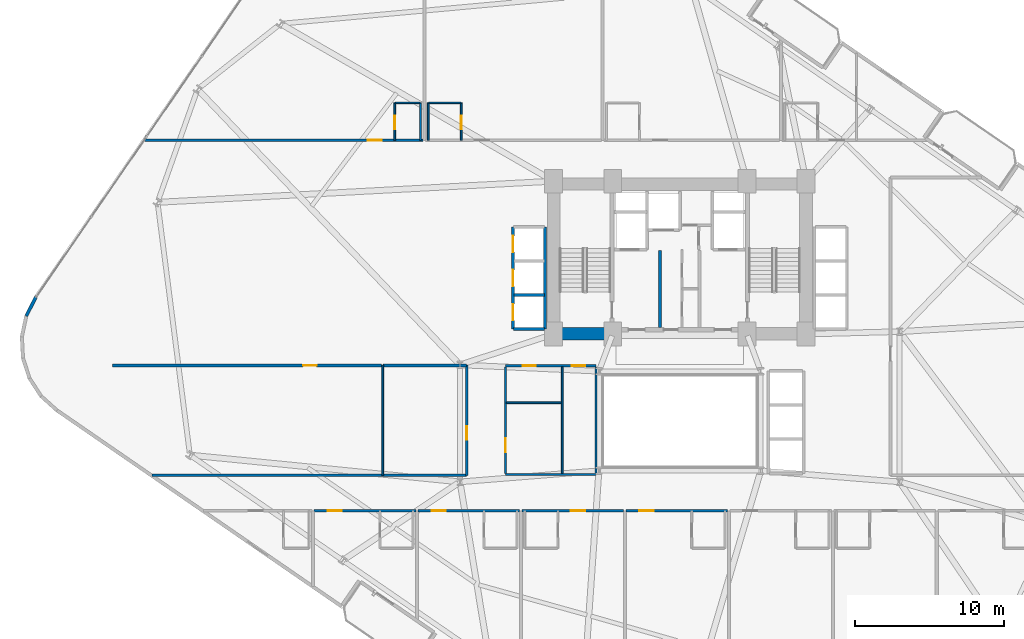
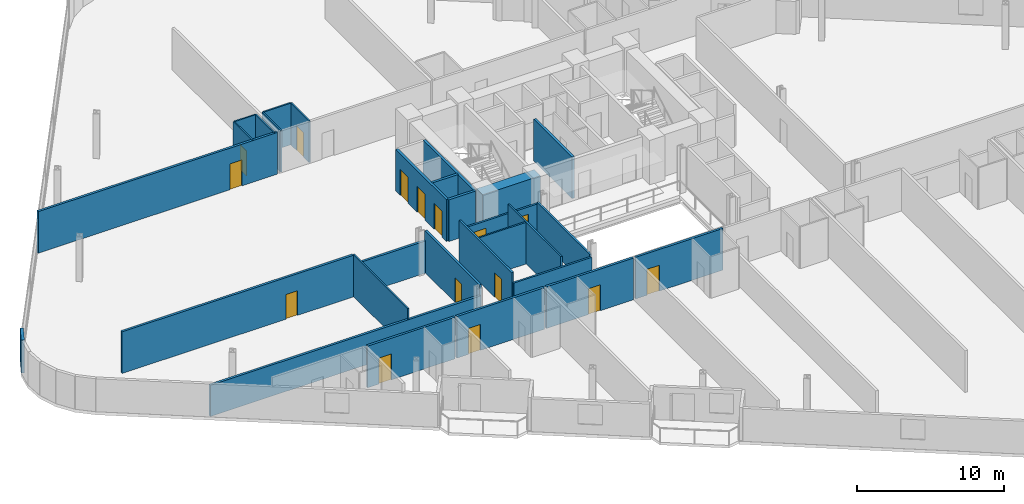
# One storey, part 18 of 25: 29 walls, 15 doors, 15 openings.
"""IFC4 building model written with IfcOpenShell, lengths in metres."""

from ifc_helpers import new_model, si_unit, direction, frame, frame_2d, origin, place, context, subcontext, project, spatial, rectangle, extrude, material, layer, layer_set, type_object, element, fill, save


model = new_model("IFC4")

# Units and contexts
model_context = context("Model", 3, precision=1e-05, world=origin(), true_north=direction((0.0, 1.0)))
body_context = subcontext(model_context, "Body", "Model", "MODEL_VIEW")
ifc_project = project(units=[si_unit("LENGTHUNIT", "METRE"), si_unit("AREAUNIT", "SQUARE_METRE"), si_unit("VOLUMEUNIT", "CUBIC_METRE"), si_unit("PLANEANGLEUNIT", "RADIAN"), si_unit("MASSUNIT", "GRAM", prefix="KILO")], contexts=[model_context])

# Site, building, storey
site_placement = place(None, origin())
site = spatial("IfcSite", under=ifc_project, at=site_placement, CompositionType="ELEMENT")
building_placement = place(site_placement, origin())
building = spatial("IfcBuilding", under=site, at=building_placement, Name="Varnelok Gate Tower", CompositionType="ELEMENT")
storey_placement = place(building_placement, frame((0.0, 0.0, 52.89990234375)))
storey = spatial("IfcBuildingStorey", under=building, at=storey_placement, Name="L12", CompositionType="ELEMENT", Elevation=52.89990234375)

# Wall
ifc_material_1 = material(Name="Concrete C45/55", Category="concrete")
ifc_layer_1 = layer(ifc_material_1, 0.219970703125)
ifc_layer_set_1 = layer_set([ifc_layer_1], Name="Concrete C45/55")
wall_type_1 = type_object("IfcWallType", Name="EW-BALC-220", PredefinedType="SOLIDWALL", material=ifc_layer_set_1)
wall_1_placement = place(storey_placement, frame((-4.158203125, 31.24462890625, 0.0), z_axis=(0.0, 0.0, 1.0), x_axis=(-0.454777156549, -0.890605264908, 0.0)))
element("IfcWall", 1, at=wall_1_placement, inside=storey, type_object=wall_type_1, Name="L12 Perimeter Facade Closure Wall 1", PredefinedType="SOLIDWALL", context=body_context, shape_type="SweptSolid", body=[
    extrude(rectangle(XDim=1.43017578125, YDim=0.219970703125, at=frame_2d((0.715087890625, 0.0))), origin(), (0.0, 0.0, 1.0), 2.72998046875),
])

# Wall, opening, door
ifc_material_2 = material(Name="Gypsum Plasterboard Acoustic Partition", Category="gypsum")
ifc_layer_2 = layer(ifc_material_2, 0.179931640625)
ifc_layer_set_2 = layer_set([ifc_layer_2], Name="Gypsum Plasterboard Acoustic Partition")
wall_type_2 = type_object("IfcWallType", Name="PW-CORR-180", PredefinedType="PARTITIONING", material=ifc_layer_set_2)
wall_2_placement = place(storey_placement, frame((14.580078125, 16.85009765625, 0.0), z_axis=(0.0, 0.0, 1.0), x_axis=(1.0, 0.0, 0.0)))
wall_2 = element("IfcWall", 2, at=wall_2_placement, inside=storey, type_object=wall_type_2, Name="Interior Partition", PredefinedType="PARTITIONING", context=body_context, shape_type="SweptSolid", body=[
    extrude(rectangle(XDim=6.83984375, YDim=0.179931640625, at=frame_2d((3.419921875, 0.0))), origin(), (0.0, 0.0, 1.0), 3.4501953125),
])
opening_1_placement = place(wall_2_placement, frame((0.89990234375, 0.0, 0.0)))
opening_1 = element("IfcOpeningElement", 3, at=opening_1_placement, cuts=wall_2, Name="Opening D-HT", PredefinedType="OPENING", context=body_context, shape_type="SweptSolid", body=[
    extrude(rectangle(XDim=0.949951171875, YDim=2.14990234375, at=frame_2d((0.47509765625, 1.074951171875))), frame((0.0, 0.099853515625, 0.0), z_axis=(0.0, -1.0, 0.0), x_axis=(1.0, 0.0, 0.0)), (0.0, 0.0, 1.0), 0.199951171875),
])
ifc_material_3 = material(Name="Engineered Hardwood Timber", Category="wood")
door_type_1 = type_object("IfcDoorType", Name="DR-HTL-950", OperationType="NOTDEFINED", PredefinedType="DOOR", material=ifc_material_3)
door_1_placement = place(opening_1_placement, origin())
door_1 = element("IfcDoor", 4, at=door_1_placement, inside=storey, type_object=door_type_1, Name="L12 Guest Room 02 Entrance Door", OperationType="SINGLE_SWING_LEFT", OverallHeight=2.14990234375, OverallWidth=0.949951171875, PredefinedType="DOOR", context=body_context, shape_type="SweptSolid", body=[
    extrude(rectangle(XDim=0.949951171875, YDim=2.14990234375, at=frame_2d((0.47509765625, 1.074951171875))), frame((0.0, 0.02490234375, 0.0), z_axis=(0.0, -1.0, 0.0), x_axis=(1.0, 0.0, 0.0)), (0.0, 0.0, 1.0), 0.050048828125),
])
fill(opening_1, door_1)

wall_3_placement = place(storey_placement, frame((21.580078125, 16.85009765625, 0.0), z_axis=(0.0, 0.0, 1.0), x_axis=(1.0, 0.0, 0.0)))
wall_3 = element("IfcWall", 5, at=wall_3_placement, inside=storey, type_object=wall_type_2, Name="Interior Partition", PredefinedType="PARTITIONING", context=body_context, shape_type="SweptSolid", body=[
    extrude(rectangle(XDim=6.83984375, YDim=0.179931640625, at=frame_2d((3.419921875, 0.0))), origin(), (0.0, 0.0, 1.0), 3.4501953125),
])
opening_2_placement = place(wall_3_placement, frame((0.89990234375, 0.0, 0.0)))
opening_2 = element("IfcOpeningElement", 6, at=opening_2_placement, cuts=wall_3, Name="Opening D-HT", PredefinedType="OPENING", context=body_context, shape_type="SweptSolid", body=[
    extrude(rectangle(XDim=0.949951171875, YDim=2.14990234375, at=frame_2d((0.47509765625, 1.074951171875))), frame((0.0, 0.099853515625, 0.0), z_axis=(0.0, -1.0, 0.0), x_axis=(1.0, 0.0, 0.0)), (0.0, 0.0, 1.0), 0.199951171875),
])
door_2_placement = place(opening_2_placement, origin())
door_2 = element("IfcDoor", 7, at=door_2_placement, inside=storey, type_object=door_type_1, Name="L12 Guest Room 03 Entrance Door", OperationType="SINGLE_SWING_RIGHT", OverallHeight=2.14990234375, OverallWidth=0.949951171875, PredefinedType="DOOR", context=body_context, shape_type="SweptSolid", body=[
    extrude(rectangle(XDim=0.949951171875, YDim=2.14990234375, at=frame_2d((0.47509765625, 1.074951171875))), frame((0.0, 0.02490234375, 0.0), z_axis=(0.0, -1.0, 0.0), x_axis=(1.0, 0.0, 0.0)), (0.0, 0.0, 1.0), 0.050048828125),
])
fill(opening_2, door_2)

wall_4_placement = place(storey_placement, frame((28.580078125, 16.85009765625, 0.0), z_axis=(0.0, 0.0, 1.0), x_axis=(1.0, 0.0, 0.0)))
wall_4 = element("IfcWall", 8, at=wall_4_placement, inside=storey, type_object=wall_type_2, Name="Interior Partition", PredefinedType="PARTITIONING", context=body_context, shape_type="SweptSolid", body=[
    extrude(rectangle(XDim=6.83984375, YDim=0.179931640625, at=frame_2d((3.419921875, 0.0))), origin(), (0.0, 0.0, 1.0), 3.4501953125),
])
opening_3_placement = place(wall_4_placement, frame((3.2900390625, 0.0, 0.0)))
opening_3 = element("IfcOpeningElement", 9, at=opening_3_placement, cuts=wall_4, Name="Opening D-HT", PredefinedType="OPENING", context=body_context, shape_type="SweptSolid", body=[
    extrude(rectangle(XDim=0.949951171875, YDim=2.14990234375, at=frame_2d((0.47509765625, 1.074951171875))), frame((0.0, 0.099853515625, 0.0), z_axis=(0.0, -1.0, 0.0), x_axis=(1.0, 0.0, 0.0)), (0.0, 0.0, 1.0), 0.199951171875),
])
door_3_placement = place(opening_3_placement, origin())
door_3 = element("IfcDoor", 10, at=door_3_placement, inside=storey, type_object=door_type_1, Name="L12 Guest Room 04 Entrance Door", OperationType="SINGLE_SWING_LEFT", OverallHeight=2.14990234375, OverallWidth=0.949951171875, PredefinedType="DOOR", context=body_context, shape_type="SweptSolid", body=[
    extrude(rectangle(XDim=0.949951171875, YDim=2.14990234375, at=frame_2d((0.47509765625, 1.074951171875))), frame((0.0, 0.02490234375, 0.0), z_axis=(0.0, -1.0, 0.0), x_axis=(1.0, 0.0, 0.0)), (0.0, 0.0, 1.0), 0.050048828125),
])
fill(opening_3, door_3)

wall_5_placement = place(storey_placement, frame((35.580078125, 16.85009765625, 0.0), z_axis=(0.0, 0.0, 1.0), x_axis=(1.0, 0.0, 0.0)))
wall_5 = element("IfcWall", 11, at=wall_5_placement, inside=storey, type_object=wall_type_2, Name="Interior Partition", PredefinedType="PARTITIONING", context=body_context, shape_type="SweptSolid", body=[
    extrude(rectangle(XDim=6.83984375, YDim=0.179931640625, at=frame_2d((3.419921875, 0.0))), origin(), (0.0, 0.0, 1.0), 3.4501953125),
])
opening_4_placement = place(wall_5_placement, frame((0.89990234375, 0.0, 0.0)))
opening_4 = element("IfcOpeningElement", 12, at=opening_4_placement, cuts=wall_5, Name="Opening D-HT", PredefinedType="OPENING", context=body_context, shape_type="SweptSolid", body=[
    extrude(rectangle(XDim=0.949951171875, YDim=2.14990234375, at=frame_2d((0.47509765625, 1.074951171875))), frame((0.0, 0.099853515625, 0.0), z_axis=(0.0, -1.0, 0.0), x_axis=(1.0, 0.0, 0.0)), (0.0, 0.0, 1.0), 0.199951171875),
])
door_4_placement = place(opening_4_placement, origin())
door_4 = element("IfcDoor", 13, at=door_4_placement, inside=storey, type_object=door_type_1, Name="L12 Guest Room 05 Entrance Door", OperationType="SINGLE_SWING_RIGHT", OverallHeight=2.14990234375, OverallWidth=0.949951171875, PredefinedType="DOOR", context=body_context, shape_type="SweptSolid", body=[
    extrude(rectangle(XDim=0.949951171875, YDim=2.14990234375, at=frame_2d((0.47509765625, 1.074951171875))), frame((0.0, 0.02490234375, 0.0), z_axis=(0.0, -1.0, 0.0), x_axis=(1.0, 0.0, 0.0)), (0.0, 0.0, 1.0), 0.050048828125),
])
fill(opening_4, door_4)

wall_6_placement = place(storey_placement, frame((3.17578125, 41.800048828125, 0.0), z_axis=(0.0, 0.0, 1.0), x_axis=(1.0, 0.0, 0.0)))
wall_6 = element("IfcWall", 14, at=wall_6_placement, inside=storey, type_object=wall_type_2, Name="Interior Partition", PredefinedType="PARTITIONING", context=body_context, shape_type="SweptSolid", body=[
    extrude(rectangle(XDim=18.744140625, YDim=0.179931640625, at=frame_2d((9.3720703125, 0.0))), origin(), (0.0, 0.0, 1.0), 3.4501953125),
])
opening_5_placement = place(wall_6_placement, frame((15.004150390625, 0.0, 0.0)))
opening_5 = element("IfcOpeningElement", 15, at=opening_5_placement, cuts=wall_6, Name="Opening D-HT", PredefinedType="OPENING", context=body_context, shape_type="SweptSolid", body=[
    extrude(rectangle(XDim=0.949951171875, YDim=2.14990234375, at=frame_2d((0.47509765625, 1.074951171875))), frame((0.0, 0.099853515625, 0.0), z_axis=(0.0, -1.0, 0.0), x_axis=(1.0, 0.0, 0.0)), (0.0, 0.0, 1.0), 0.199951171875),
])
door_5_placement = place(opening_5_placement, origin())
door_5 = element("IfcDoor", 16, at=door_5_placement, inside=storey, type_object=door_type_1, Name="L12 Guest Room 10 Entrance Door", OperationType="SINGLE_SWING_LEFT", OverallHeight=2.14990234375, OverallWidth=0.949951171875, PredefinedType="DOOR", context=body_context, shape_type="SweptSolid", body=[
    extrude(rectangle(XDim=0.949951171875, YDim=2.14990234375, at=frame_2d((0.47509765625, 1.074951171875))), frame((0.0, 0.02490234375, 0.0), z_axis=(0.0, -1.0, 0.0), x_axis=(1.0, 0.0, 0.0)), (0.0, 0.0, 1.0), 0.050048828125),
])
fill(opening_5, door_5)

wall_7_placement = place(storey_placement, frame((1.0, 26.639892578125, 0.0), z_axis=(0.0, 0.0, 1.0), x_axis=(1.0, 0.0, 0.0)))
wall_7 = element("IfcWall", 17, at=wall_7_placement, inside=storey, type_object=wall_type_2, Name="Interior Partition", PredefinedType="PARTITIONING", context=body_context, shape_type="SweptSolid", body=[
    extrude(rectangle(XDim=18.1201171875, YDim=0.179931640625, at=frame_2d((9.06005859375, 0.0))), origin(), (0.0, 0.0, 1.0), 3.4501953125),
])
opening_6_placement = place(wall_7_placement, frame((12.8291015625, 0.0, 0.0)))
opening_6 = element("IfcOpeningElement", 18, at=opening_6_placement, cuts=wall_7, Name="Opening D-I3", PredefinedType="OPENING", context=body_context, shape_type="SweptSolid", body=[
    extrude(rectangle(XDim=0.919921875, YDim=2.050048828125, at=frame_2d((0.4599609375, 1.02490234375))), frame((0.0, 0.099853515625, 0.0), z_axis=(0.0, -1.0, 0.0), x_axis=(1.0, 0.0, 0.0)), (0.0, 0.0, 1.0), 0.199951171875),
])
door_type_2 = type_object("IfcDoorType", Name="DR-INT-920", OperationType="NOTDEFINED", PredefinedType="DOOR", material=ifc_material_3)
door_6_placement = place(opening_6_placement, origin())
door_6 = element("IfcDoor", 19, at=door_6_placement, inside=storey, type_object=door_type_2, Name="L12 West Treatment Door", OperationType="SINGLE_SWING_RIGHT", OverallHeight=2.050048828125, OverallWidth=0.919921875, PredefinedType="DOOR", context=body_context, shape_type="SweptSolid", body=[
    extrude(rectangle(XDim=0.919921875, YDim=2.050048828125, at=frame_2d((0.4599609375, 1.02490234375))), frame((0.0, 0.02490234375, 0.0), z_axis=(0.0, -1.0, 0.0), x_axis=(1.0, 0.0, 0.0)), (0.0, 0.0, 1.0), 0.050048828125),
])
fill(opening_6, door_6)

wall_8_placement = place(storey_placement, frame((24.85009765625, 19.239990234375, 0.0), z_axis=(0.0, 0.0, 1.0), x_axis=(0.0, 1.0, 0.0)))
wall_8 = element("IfcWall", 20, at=wall_8_placement, inside=storey, type_object=wall_type_2, Name="Interior Partition", PredefinedType="PARTITIONING", context=body_context, shape_type="SweptSolid", body=[
    extrude(rectangle(XDim=7.419921875, YDim=0.179931640625, at=frame_2d((3.7099609375, 0.0))), origin(), (0.0, 0.0, 1.0), 3.4501953125),
])
opening_7_placement = place(wall_8_placement, frame((2.39990234375, 0.0, 0.0)))
opening_7 = element("IfcOpeningElement", 21, at=opening_7_placement, cuts=wall_8, Name="Opening D-I3", PredefinedType="OPENING", context=body_context, shape_type="SweptSolid", body=[
    extrude(rectangle(XDim=0.919921875, YDim=2.050048828125, at=frame_2d((0.4599609375, 1.02490234375))), frame((0.0, 0.099853515625, 0.0), z_axis=(0.0, -1.0, 0.0), x_axis=(1.0, 0.0, 0.0)), (0.0, 0.0, 1.0), 0.199951171875),
])
door_7_placement = place(opening_7_placement, origin())
door_7 = element("IfcDoor", 22, at=door_7_placement, inside=storey, type_object=door_type_2, Name="L12 West Playroom Door", OperationType="SINGLE_SWING_LEFT", OverallHeight=2.050048828125, OverallWidth=0.919921875, PredefinedType="DOOR", context=body_context, shape_type="SweptSolid", body=[
    extrude(rectangle(XDim=0.919921875, YDim=2.050048828125, at=frame_2d((0.4599609375, 1.02490234375))), frame((0.0, 0.02490234375, 0.0), z_axis=(0.0, -1.0, 0.0), x_axis=(1.0, 0.0, 0.0)), (0.0, 0.0, 1.0), 0.050048828125),
])
fill(opening_7, door_7)

# Walls
wall_9_placement = place(storey_placement, frame((3.644775390625, 19.239990234375, 0.0), z_axis=(0.0, 0.0, 1.0), x_axis=(1.0, 0.0, 0.0)))
element("IfcWall", 23, at=wall_9_placement, inside=storey, type_object=wall_type_2, Name="Interior Partition", PredefinedType="PARTITIONING", context=body_context, shape_type="SweptSolid", body=[
    extrude(rectangle(XDim=21.205322265625, YDim=0.179931640625, at=frame_2d((10.6025390625, 0.0))), origin(), (0.0, 0.0, 1.0), 2.580078125),
])
wall_10_placement = place(storey_placement, frame((19.199951171875, 26.639892578125, 0.0), z_axis=(0.0, 0.0, 1.0), x_axis=(1.0, 0.0, 0.0)))
element("IfcWall", 24, at=wall_10_placement, inside=storey, type_object=wall_type_2, Name="Interior Partition", PredefinedType="PARTITIONING", context=body_context, shape_type="SweptSolid", body=[
    extrude(rectangle(XDim=5.650146484375, YDim=0.179931640625, at=frame_2d((2.8251953125, 0.0))), origin(), (0.0, 0.0, 1.0), 2.662109375),
])
ifc_layer_3 = layer(ifc_material_2, 0.114990234375)
ifc_layer_set_3 = layer_set([ifc_layer_3], Name="Gypsum Plasterboard Acoustic Partition")
wall_type_3 = type_object("IfcWallType", Name="PW-ENS-125", PredefinedType="PARTITIONING", material=ifc_layer_set_3)
wall_11_placement = place(storey_placement, frame((20.050048828125, 44.320068359375, 0.0), z_axis=(0.0, 0.0, 1.0), x_axis=(1.0, 0.0, 0.0)))
element("IfcWall", 25, at=wall_11_placement, inside=storey, type_object=wall_type_3, Name="Interior Partition", PredefinedType="PARTITIONING", context=body_context, shape_type="SweptSolid", body=[
    extrude(rectangle(XDim=1.64990234375, YDim=0.114990234375, at=frame_2d((0.824951171875, 0.0))), origin(), (0.0, 0.0, 1.0), 3.4501953125),
])

# Wall, opening, door
wall_12_placement = place(storey_placement, frame((20.010009765625, 41.800048828125, 0.0), z_axis=(0.0, 0.0, 1.0), x_axis=(0.0, 1.0, 0.0)))
wall_12 = element("IfcWall", 26, at=wall_12_placement, inside=storey, type_object=wall_type_3, Name="Interior Partition", PredefinedType="PARTITIONING", context=body_context, shape_type="SweptSolid", body=[
    extrude(rectangle(XDim=2.52001953125, YDim=0.114990234375, at=frame_2d((1.260009765625, 0.0))), origin(), (0.0, 0.0, 1.0), 3.4501953125),
])
opening_8_placement = place(wall_12_placement, frame((0.760009765625, 0.0, 0.0)))
opening_8 = element("IfcOpeningElement", 27, at=opening_8_placement, cuts=wall_12, Name="Opening D-WC", PredefinedType="OPENING", context=body_context, shape_type="SweptSolid", body=[
    extrude(rectangle(XDim=0.89990234375, YDim=2.050048828125, at=frame_2d((0.449951171875, 1.02490234375))), frame((0.0, 0.0673828125, 0.0), z_axis=(0.0, -1.0, 0.0), x_axis=(1.0, 0.0, 0.0)), (0.0, 0.0, 1.0), 0.135009765625),
])
door_type_3 = type_object("IfcDoorType", Name="DR-BATH-900", OperationType="NOTDEFINED", PredefinedType="DOOR", material=ifc_material_3)
door_8_placement = place(opening_8_placement, origin())
door_8 = element("IfcDoor", 28, at=door_8_placement, inside=storey, type_object=door_type_3, Name="L12 North En-Suite 10 Door", OperationType="SINGLE_SWING_LEFT", OverallHeight=2.050048828125, OverallWidth=0.89990234375, PredefinedType="DOOR", context=body_context, shape_type="SweptSolid", body=[
    extrude(rectangle(XDim=0.89990234375, YDim=2.050048828125, at=frame_2d((0.449951171875, 1.02490234375))), frame((0.0, 0.02490234375, 0.0), z_axis=(0.0, -1.0, 0.0), x_axis=(1.0, 0.0, 0.0)), (0.0, 0.0, 1.0), 0.050048828125),
])
fill(opening_8, door_8)

# Walls
wall_13_placement = place(storey_placement, frame((21.739990234375, 41.800048828125, 0.0), z_axis=(0.0, 0.0, 1.0), x_axis=(0.0, 1.0, 0.0)))
element("IfcWall", 29, at=wall_13_placement, inside=storey, type_object=wall_type_3, Name="Interior Partition", PredefinedType="PARTITIONING", context=body_context, shape_type="SweptSolid", body=[
    extrude(rectangle(XDim=2.52001953125, YDim=0.114990234375, at=frame_2d((1.260009765625, 0.0))), origin(), (0.0, 0.0, 1.0), 3.4501953125),
])
wall_14_placement = place(storey_placement, frame((22.300048828125, 44.320068359375, 0.0), z_axis=(0.0, 0.0, 1.0), x_axis=(1.0, 0.0, 0.0)))
element("IfcWall", 30, at=wall_14_placement, inside=storey, type_object=wall_type_3, Name="Interior Partition", PredefinedType="PARTITIONING", context=body_context, shape_type="SweptSolid", body=[
    extrude(rectangle(XDim=2.14990234375, YDim=0.114990234375, at=frame_2d((1.074951171875, 0.0))), origin(), (0.0, 0.0, 1.0), 3.4501953125),
])

# Wall, opening, door
wall_15_placement = place(storey_placement, frame((24.489990234375, 41.800048828125, 0.0), z_axis=(0.0, 0.0, 1.0), x_axis=(0.0, 1.0, 0.0)))
wall_15 = element("IfcWall", 31, at=wall_15_placement, inside=storey, type_object=wall_type_3, Name="Interior Partition", PredefinedType="PARTITIONING", context=body_context, shape_type="SweptSolid", body=[
    extrude(rectangle(XDim=2.52001953125, YDim=0.114990234375, at=frame_2d((1.260009765625, 0.0))), origin(), (0.0, 0.0, 1.0), 3.4501953125),
])
opening_9_placement = place(wall_15_placement, frame((0.760009765625, 0.0, 0.0)))
opening_9 = element("IfcOpeningElement", 32, at=opening_9_placement, cuts=wall_15, Name="Opening D-WC", PredefinedType="OPENING", context=body_context, shape_type="SweptSolid", body=[
    extrude(rectangle(XDim=0.89990234375, YDim=2.050048828125, at=frame_2d((0.449951171875, 1.02490234375))), frame((0.0, 0.0673828125, 0.0), z_axis=(0.0, -1.0, 0.0), x_axis=(1.0, 0.0, 0.0)), (0.0, 0.0, 1.0), 0.135009765625),
])
door_9_placement = place(opening_9_placement, origin())
door_9 = element("IfcDoor", 33, at=door_9_placement, inside=storey, type_object=door_type_3, Name="L12 North En-Suite 11 Door", OperationType="SINGLE_SWING_RIGHT", OverallHeight=2.050048828125, OverallWidth=0.89990234375, PredefinedType="DOOR", context=body_context, shape_type="SweptSolid", body=[
    extrude(rectangle(XDim=0.89990234375, YDim=2.050048828125, at=frame_2d((0.449951171875, 1.02490234375))), frame((0.0, 0.02490234375, 0.0), z_axis=(0.0, -1.0, 0.0), x_axis=(1.0, 0.0, 0.0)), (0.0, 0.0, 1.0), 0.050048828125),
])
fill(opening_9, door_9)

# Walls
wall_16_placement = place(storey_placement, frame((22.260009765625, 41.800048828125, 0.0), z_axis=(0.0, 0.0, 1.0), x_axis=(0.0, 1.0, 0.0)))
element("IfcWall", 34, at=wall_16_placement, inside=storey, type_object=wall_type_3, Name="Interior Partition", PredefinedType="PARTITIONING", context=body_context, shape_type="SweptSolid", body=[
    extrude(rectangle(XDim=2.52001953125, YDim=0.114990234375, at=frame_2d((1.260009765625, 0.0))), origin(), (0.0, 0.0, 1.0), 3.4501953125),
])
ifc_layer_4 = layer(ifc_material_2, 0.125)
ifc_layer_set_4 = layer_set([ifc_layer_4], Name="Gypsum Plasterboard Acoustic Partition")
wall_type_4 = type_object("IfcWallType", Name="PW-PART-125", PredefinedType="PARTITIONING", material=ifc_layer_set_4)
wall_17_placement = place(storey_placement, frame((19.199951171875, 19.239990234375, 0.0), z_axis=(0.0, 0.0, 1.0), x_axis=(0.0, 1.0, 0.0)))
element("IfcWall", 35, at=wall_17_placement, inside=storey, type_object=wall_type_4, Name="Interior Partition", PredefinedType="PARTITIONING", context=body_context, shape_type="SweptSolid", body=[
    extrude(rectangle(XDim=7.419921875, YDim=0.125, at=frame_2d((3.7099609375, 0.0))), origin(), (0.0, 0.0, 1.0), 3.4501953125),
])
wall_18_placement = place(storey_placement, frame((31.280029296875, 19.3798828125, 0.0), z_axis=(0.0, 0.0, 1.0), x_axis=(0.0, 1.0, 0.0)))
element("IfcWall", 36, at=wall_18_placement, inside=storey, type_object=wall_type_4, Name="Interior Partition", PredefinedType="PARTITIONING", context=body_context, shape_type="SweptSolid", body=[
    extrude(rectangle(XDim=7.16015625, YDim=0.125, at=frame_2d((3.580078125, 0.0))), origin(), (0.0, 0.0, 1.0), 3.4501953125),
])
wall_19_placement = place(storey_placement, frame((27.52001953125, 24.1298828125, 0.0), z_axis=(0.0, 0.0, 1.0), x_axis=(1.0, 0.0, 0.0)))
element("IfcWall", 37, at=wall_19_placement, inside=storey, type_object=wall_type_4, Name="Interior Partition", PredefinedType="PARTITIONING", context=body_context, shape_type="SweptSolid", body=[
    extrude(rectangle(XDim=3.699951171875, YDim=0.125, at=frame_2d((1.85009765625, 0.0))), origin(), (0.0, 0.0, 1.0), 3.4501953125),
])
ifc_layer_5 = layer(ifc_material_2, 0.14990234375)
ifc_layer_set_5 = layer_set([ifc_layer_5], Name="Gypsum Plasterboard Acoustic Partition")
wall_type_5 = type_object("IfcWallType", Name="PW-PART-150", PredefinedType="PARTITIONING", material=ifc_layer_set_5)
wall_20_placement = place(storey_placement, frame((27.4599609375, 19.300048828125, 0.0), z_axis=(0.0, 0.0, 1.0), x_axis=(1.0, 0.0, 0.0)))
element("IfcWall", 38, at=wall_20_placement, inside=storey, type_object=wall_type_5, Name="Interior Partition", PredefinedType="PARTITIONING", context=body_context, shape_type="SweptSolid", body=[
    extrude(rectangle(XDim=6.10009765625, YDim=0.14990234375, at=frame_2d((3.050048828125, 0.0))), origin(), (0.0, 0.0, 1.0), 2.662109375),
])

# Wall, openings, doors
wall_21_placement = place(storey_placement, frame((27.4599609375, 26.6201171875, 0.0), z_axis=(0.0, 0.0, 1.0), x_axis=(1.0, 0.0, 0.0)))
wall_21 = element("IfcWall", 39, at=wall_21_placement, inside=storey, type_object=wall_type_5, Name="Interior Partition", PredefinedType="PARTITIONING", context=body_context, shape_type="SweptSolid", body=[
    extrude(rectangle(XDim=6.10009765625, YDim=0.14990234375, at=frame_2d((3.050048828125, 0.0))), origin(), (0.0, 0.0, 1.0), 2.662109375),
])
opening_10_placement = place(wall_21_placement, frame((1.14990234375, 0.0, 0.0)))
opening_10 = element("IfcOpeningElement", 40, at=opening_10_placement, cuts=wall_21, Name="Opening D-WC", PredefinedType="OPENING", context=body_context, shape_type="SweptSolid", body=[
    extrude(rectangle(XDim=0.89990234375, YDim=2.050048828125, at=frame_2d((0.449951171875, 1.02490234375))), frame((0.0, 0.0849609375, 0.0), z_axis=(0.0, -1.0, 0.0), x_axis=(1.0, 0.0, 0.0)), (0.0, 0.0, 1.0), 0.169921875),
])
opening_11_placement = place(wall_21_placement, frame((4.449951171875, 0.0, 0.0)))
opening_11 = element("IfcOpeningElement", 41, at=opening_11_placement, cuts=wall_21, Name="Opening D-I3", PredefinedType="OPENING", context=body_context, shape_type="SweptSolid", body=[
    extrude(rectangle(XDim=0.919921875, YDim=2.050048828125, at=frame_2d((0.4599609375, 1.02490234375))), frame((0.0, 0.0849609375, 0.0), z_axis=(0.0, -1.0, 0.0), x_axis=(1.0, 0.0, 0.0)), (0.0, 0.0, 1.0), 0.169921875),
])
door_10_placement = place(opening_10_placement, origin())
door_10 = element("IfcDoor", 42, at=door_10_placement, inside=storey, type_object=door_type_3, Name="L12 Accessible Floor WC Door", OperationType="SINGLE_SWING_LEFT", OverallHeight=2.050048828125, OverallWidth=0.89990234375, PredefinedType="DOOR", context=body_context, shape_type="SweptSolid", body=[
    extrude(rectangle(XDim=0.89990234375, YDim=2.050048828125, at=frame_2d((0.449951171875, 1.02490234375))), frame((0.0, 0.02490234375, 0.0), z_axis=(0.0, -1.0, 0.0), x_axis=(1.0, 0.0, 0.0)), (0.0, 0.0, 1.0), 0.050048828125),
])
fill(opening_10, door_10)
door_11_placement = place(opening_11_placement, origin())
door_11 = element("IfcDoor", 43, at=door_11_placement, inside=storey, type_object=door_type_2, Name="L12 Valet Pantry Door", OperationType="SINGLE_SWING_RIGHT", OverallHeight=2.050048828125, OverallWidth=0.919921875, PredefinedType="DOOR", context=body_context, shape_type="SweptSolid", body=[
    extrude(rectangle(XDim=0.919921875, YDim=2.050048828125, at=frame_2d((0.4599609375, 1.02490234375))), frame((0.0, 0.02490234375, 0.0), z_axis=(0.0, -1.0, 0.0), x_axis=(1.0, 0.0, 0.0)), (0.0, 0.0, 1.0), 0.050048828125),
])
fill(opening_11, door_11)

# Wall, opening, door
wall_22_placement = place(storey_placement, frame((27.4599609375, 19.3798828125, 0.0), z_axis=(0.0, 0.0, 1.0), x_axis=(0.0, 1.0, 0.0)))
wall_22 = element("IfcWall", 44, at=wall_22_placement, inside=storey, type_object=wall_type_5, Name="Interior Partition", PredefinedType="PARTITIONING", context=body_context, shape_type="SweptSolid", body=[
    extrude(rectangle(XDim=7.16015625, YDim=0.14990234375, at=frame_2d((3.580078125, 0.0))), origin(), (0.0, 0.0, 1.0), 3.4501953125),
])
opening_12_placement = place(wall_22_placement, frame((1.39990234375, 0.0, 0.0)))
opening_12 = element("IfcOpeningElement", 45, at=opening_12_placement, cuts=wall_22, Name="Opening D-I2", PredefinedType="OPENING", context=body_context, shape_type="SweptSolid", body=[
    extrude(rectangle(XDim=0.949951171875, YDim=2.050048828125, at=frame_2d((0.47509765625, 1.02490234375))), frame((0.0, 0.0849609375, 0.0), z_axis=(0.0, -1.0, 0.0), x_axis=(1.0, 0.0, 0.0)), (0.0, 0.0, 1.0), 0.169921875),
])
door_type_4 = type_object("IfcDoorType", Name="DR-INT-950", OperationType="NOTDEFINED", PredefinedType="DOOR", material=ifc_material_3)
door_12_placement = place(opening_12_placement, origin())
door_12 = element("IfcDoor", 46, at=door_12_placement, inside=storey, type_object=door_type_4, Name="L12 Hotel Fitness Studio Door", OperationType="SINGLE_SWING_LEFT", OverallHeight=2.050048828125, OverallWidth=0.949951171875, PredefinedType="DOOR", context=body_context, shape_type="SweptSolid", body=[
    extrude(rectangle(XDim=0.949951171875, YDim=2.050048828125, at=frame_2d((0.47509765625, 1.02490234375))), frame((0.0, 0.02490234375, 0.0), z_axis=(0.0, -1.0, 0.0), x_axis=(1.0, 0.0, 0.0)), (0.0, 0.0, 1.0), 0.050048828125),
])
fill(opening_12, door_12)

# Walls
wall_23_placement = place(storey_placement, frame((33.56005859375, 19.3798828125, 0.0), z_axis=(0.0, 0.0, 1.0), x_axis=(0.0, 1.0, 0.0)))
element("IfcWall", 47, at=wall_23_placement, inside=storey, type_object=wall_type_5, Name="Interior Partition", PredefinedType="PARTITIONING", context=body_context, shape_type="SweptSolid", body=[
    extrude(rectangle(XDim=7.16015625, YDim=0.14990234375, at=frame_2d((3.580078125, 0.0))), origin(), (0.0, 0.0, 1.0), 2.82421875),
])
ifc_material_4 = material(Name="Concrete C35/45", Category="concrete")
ifc_layer_6 = layer(ifc_material_4, 0.199951171875)
ifc_layer_set_6 = layer_set([ifc_layer_6], Name="Concrete C35/45")
wall_type_6 = type_object("IfcWallType", Name="PW-SHAFT-200", PredefinedType="PARTITIONING", material=ifc_layer_set_6)
wall_24_placement = place(storey_placement, frame((37.860107421875, 29.199951171875, 0.0), z_axis=(0.0, 0.0, 1.0), x_axis=(0.0, 1.0, 0.0)))
element("IfcWall", 48, at=wall_24_placement, inside=storey, type_object=wall_type_6, Name="L12 West FF Lobby Rated Wall", PredefinedType="PARTITIONING", context=body_context, shape_type="SweptSolid", body=[
    extrude(rectangle(XDim=5.179931640625, YDim=0.199951171875, at=frame_2d((2.58984375, 0.0))), origin(), (0.0, 0.0, 1.0), 3.4501953125),
])
wall_25_placement = place(storey_placement, frame((28.02001953125, 31.375, 0.0), z_axis=(0.0, 0.0, 1.0), x_axis=(1.0, 0.0, 0.0)))
element("IfcWall", 49, at=wall_25_placement, inside=storey, type_object=wall_type_6, Name="L12 PL1 Divider", PredefinedType="PARTITIONING", context=body_context, shape_type="SweptSolid", body=[
    extrude(rectangle(XDim=2.06005859375, YDim=0.199951171875, at=frame_2d((1.030029296875, 0.0))), origin(), (0.0, 0.0, 1.0), 3.4501953125),
])
wall_26_placement = place(storey_placement, frame((28.0, 29.080078125, 0.0), z_axis=(0.0, 0.0, 1.0), x_axis=(1.0, 0.0, 0.0)))
element("IfcWall", 50, at=wall_26_placement, inside=storey, type_object=wall_type_6, Name="L12 PL Bank South Wall", PredefinedType="PARTITIONING", context=body_context, shape_type="SweptSolid", body=[
    extrude(rectangle(XDim=2.10009765625, YDim=0.199951171875, at=frame_2d((1.050048828125, 0.0))), origin(), (0.0, 0.0, 1.0), 3.4501953125),
])
wall_27_placement = place(storey_placement, frame((30.1201171875, 29.080078125, 0.0), z_axis=(0.0, 0.0, 1.0), x_axis=(0.0, 1.0, 0.0)))
element("IfcWall", 51, at=wall_27_placement, inside=storey, type_object=wall_type_6, Name="L12 PL Bank Back Wall", PredefinedType="PARTITIONING", context=body_context, shape_type="SweptSolid", body=[
    extrude(rectangle(XDim=6.889892578125, YDim=0.199951171875, at=frame_2d((3.44482421875, 0.0))), origin(), (0.0, 0.0, 1.0), 3.4501953125),
])

# Wall, openings, doors
wall_28_placement = place(storey_placement, frame((27.9599609375, 29.080078125, 0.0), z_axis=(0.0, 0.0, 1.0), x_axis=(0.0, 1.0, 0.0)))
wall_28 = element("IfcWall", 52, at=wall_28_placement, inside=storey, type_object=wall_type_6, Name="L12 PL Bank Front Wall", PredefinedType="PARTITIONING", context=body_context, shape_type="SweptSolid", body=[
    extrude(rectangle(XDim=6.889892578125, YDim=0.199951171875, at=frame_2d((3.44482421875, 0.0))), origin(), (0.0, 0.0, 1.0), 3.4501953125),
])
opening_13_placement = place(wall_28_placement, frame((0.590087890625, 0.0, 0.0)))
opening_13 = element("IfcOpeningElement", 53, at=opening_13_placement, cuts=wall_28, Name="Opening LD-PL1", PredefinedType="OPENING", context=body_context, shape_type="SweptSolid", body=[
    extrude(rectangle(XDim=1.10009765625, YDim=2.14990234375, at=frame_2d((0.550048828125, 1.074951171875))), frame((0.0, 0.10986328125, 0.0), z_axis=(0.0, -1.0, 0.0), x_axis=(1.0, 0.0, 0.0)), (0.0, 0.0, 1.0), 0.219970703125),
])
opening_14_placement = place(wall_28_placement, frame((2.889892578125, 0.0, 0.0)))
opening_14 = element("IfcOpeningElement", 54, at=opening_14_placement, cuts=wall_28, Name="Opening LD-PL2", PredefinedType="OPENING", context=body_context, shape_type="SweptSolid", body=[
    extrude(rectangle(XDim=1.10009765625, YDim=2.14990234375, at=frame_2d((0.550048828125, 1.074951171875))), frame((0.0, 0.10986328125, 0.0), z_axis=(0.0, -1.0, 0.0), x_axis=(1.0, 0.0, 0.0)), (0.0, 0.0, 1.0), 0.219970703125),
])
opening_15_placement = place(wall_28_placement, frame((5.18994140625, 0.0, 0.0)))
opening_15 = element("IfcOpeningElement", 55, at=opening_15_placement, cuts=wall_28, Name="Opening LD-PL3", PredefinedType="OPENING", context=body_context, shape_type="SweptSolid", body=[
    extrude(rectangle(XDim=1.10009765625, YDim=2.14990234375, at=frame_2d((0.550048828125, 1.074951171875))), frame((0.0, 0.10986328125, 0.0), z_axis=(0.0, -1.0, 0.0), x_axis=(1.0, 0.0, 0.0)), (0.0, 0.0, 1.0), 0.219970703125),
])
ifc_material_5 = material(Name="Galvanized Steel Grade S350GD", Category="steel")
door_type_5 = type_object("IfcDoorType", Name="DR-LIFT-PAX1100", OperationType="SLIDING_TO_LEFT", PredefinedType="DOOR", material=ifc_material_5)
door_13_placement = place(opening_13_placement, origin())
door_13 = element("IfcDoor", 56, at=door_13_placement, inside=storey, type_object=door_type_5, Name="L12 Passenger Lift Landing Door LD-PL1", OperationType="SLIDING_TO_LEFT", OverallHeight=2.14990234375, OverallWidth=1.10009765625, PredefinedType="DOOR", context=body_context, shape_type="SweptSolid", body=[
    extrude(rectangle(XDim=1.10009765625, YDim=2.14990234375, at=frame_2d((0.550048828125, 1.074951171875))), frame((0.0, 0.02490234375, 0.0), z_axis=(0.0, -1.0, 0.0), x_axis=(1.0, 0.0, 0.0)), (0.0, 0.0, 1.0), 0.050048828125),
])
fill(opening_13, door_13)
door_14_placement = place(opening_14_placement, origin())
door_14 = element("IfcDoor", 57, at=door_14_placement, inside=storey, type_object=door_type_5, Name="L12 Passenger Lift Landing Door LD-PL2", OperationType="SLIDING_TO_LEFT", OverallHeight=2.14990234375, OverallWidth=1.10009765625, PredefinedType="DOOR", context=body_context, shape_type="SweptSolid", body=[
    extrude(rectangle(XDim=1.10009765625, YDim=2.14990234375, at=frame_2d((0.550048828125, 1.074951171875))), frame((0.0, 0.02490234375, 0.0), z_axis=(0.0, -1.0, 0.0), x_axis=(1.0, 0.0, 0.0)), (0.0, 0.0, 1.0), 0.050048828125),
])
fill(opening_14, door_14)
door_15_placement = place(opening_15_placement, origin())
door_15 = element("IfcDoor", 58, at=door_15_placement, inside=storey, type_object=door_type_5, Name="L12 Passenger Lift Landing Door LD-PL3", OperationType="SLIDING_TO_LEFT", OverallHeight=2.14990234375, OverallWidth=1.10009765625, PredefinedType="DOOR", context=body_context, shape_type="SweptSolid", body=[
    extrude(rectangle(XDim=1.10009765625, YDim=2.14990234375, at=frame_2d((0.550048828125, 1.074951171875))), frame((0.0, 0.02490234375, 0.0), z_axis=(0.0, -1.0, 0.0), x_axis=(1.0, 0.0, 0.0)), (0.0, 0.0, 1.0), 0.050048828125),
])
fill(opening_15, door_15)

# Wall
ifc_material_6 = material(Name="Concrete C70/85", Category="concrete")
ifc_layer_7 = layer(ifc_material_6, 0.85009765625)
ifc_layer_set_7 = layer_set([ifc_layer_7], Name="Concrete C70/85")
wall_type_7 = type_object("IfcWallType", Name="SW-CORE-850", PredefinedType="SHEAR", material=ifc_layer_set_7)
wall_29_placement = place(storey_placement, frame((30.280029296875, 28.77490234375, 0.0), z_axis=(0.0, 0.0, 1.0), x_axis=(1.0, 0.0, 0.0)))
element("IfcWall", 59, at=wall_29_placement, inside=storey, type_object=wall_type_7, Name="L12 Rear Core South-West Shear Wall", PredefinedType="SHEAR", context=body_context, shape_type="SweptSolid", body=[
    extrude(rectangle(XDim=4.52001953125, YDim=0.85009765625, at=frame_2d((2.260009765625, 0.0))), origin(), (0.0, 0.0, 1.0), 3.4501953125),
])

save(model, "model.ifc")
